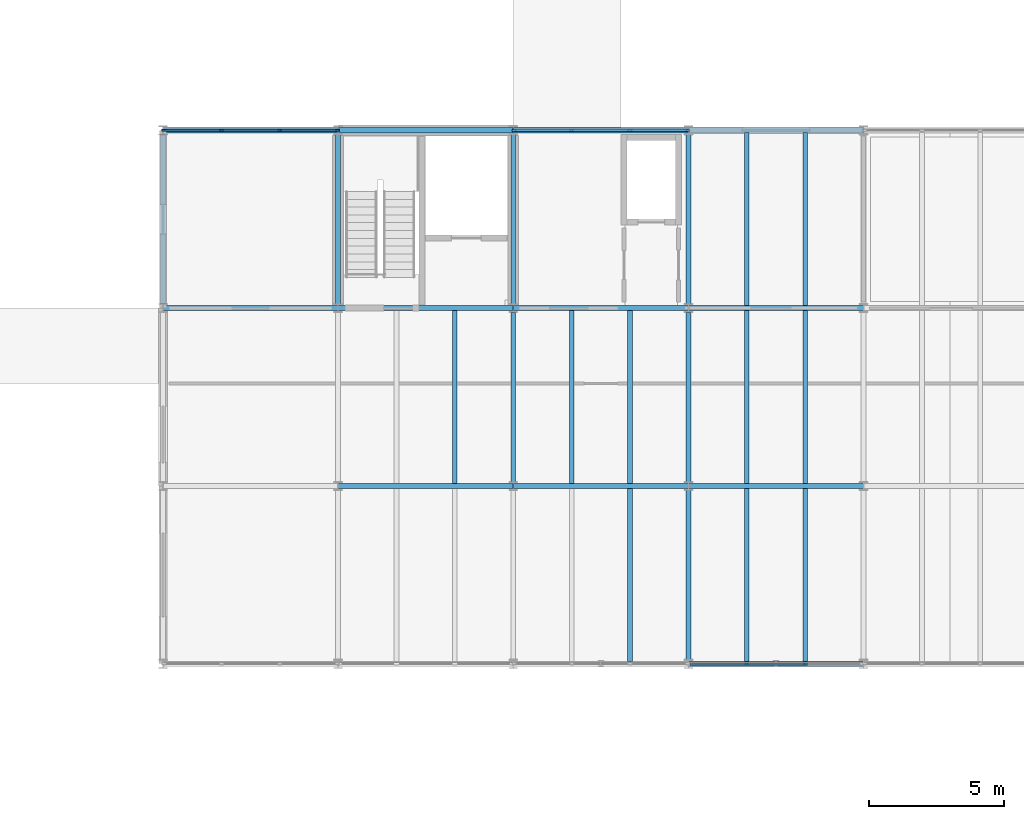
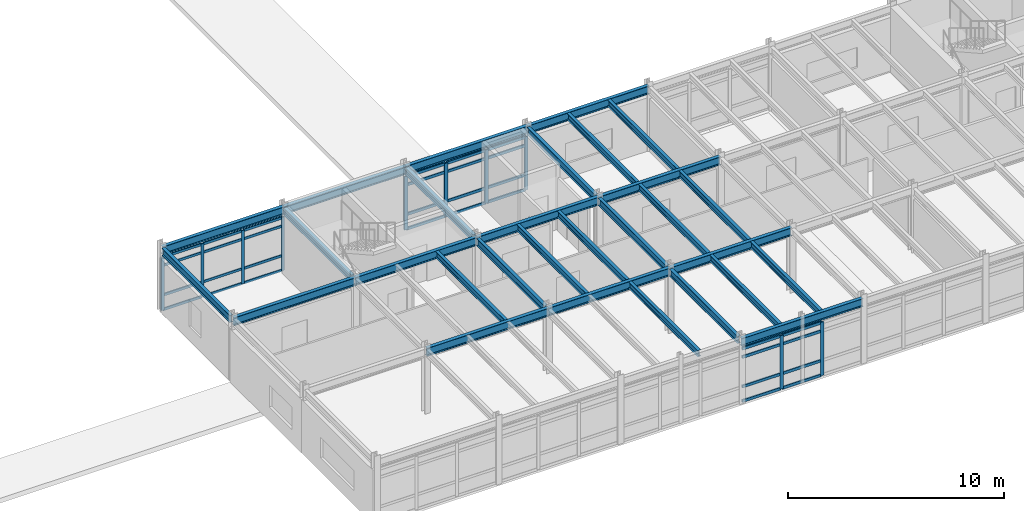
# One storey, part 16 of 49: 42 members, 29 beams, 3 elements without a shape of their own.
"""IFC4 building model written with IfcOpenShell, lengths in metres."""

from ifc_helpers import new_model, si_unit, direction, frame, origin, origin_2d, place, context, subcontext, project, spatial, rectangle, i_section, extrude, material, layer, layer_set, material_profile, profile_set, type_object, element, aggregate, save


model = new_model("IFC4")

# Units and contexts
model_context = context("Model", 3, precision=1e-05, world=origin(), true_north=direction((0.0, 1.0)))
body_context = subcontext(model_context, "Body", "Model", "MODEL_VIEW")
ifc_project = project(units=[si_unit("LENGTHUNIT", "METRE"), si_unit("AREAUNIT", "SQUARE_METRE"), si_unit("VOLUMEUNIT", "CUBIC_METRE"), si_unit("PLANEANGLEUNIT", "RADIAN"), si_unit("MASSUNIT", "GRAM", prefix="KILO")], contexts=[model_context])

# Site, building, storey
site_placement = place(None, origin())
site = spatial("IfcSite", under=ifc_project, at=site_placement, CompositionType="ELEMENT")
building_placement = place(site_placement, origin())
building = spatial("IfcBuilding", under=site, at=building_placement, Name="Trelmorton Wharf Fire Station", CompositionType="ELEMENT")
storey_placement = place(building_placement, frame((0.0, 0.0, 9.60009765625)))
storey = spatial("IfcBuildingStorey", under=building, at=storey_placement, Name="L02", CompositionType="ELEMENT", Elevation=9.60009765625)

# Beams
ifc_material_1 = material(Name="Steel Grade 350", Category="steel")
ifc_material_profile_1 = material_profile(ifc_material_1, i_section(OverallWidth=0.177978515625, OverallDepth=0.406005859375, WebThickness=0.0078125, FlangeThickness=0.0126953125, FilletRadius=0.011474609375, at=origin_2d()), Name="410UB59.7")
ifc_profile_set_1 = profile_set([ifc_material_profile_1], Name="Steel Grade 350")
beam_type_1 = type_object("IfcBeamType", Name="BM_410UB60", PredefinedType="BEAM", material=ifc_profile_set_1)
for number, where, z_axis, x_axis, name in (
    (1, (104.0, 21.156494140625, 3.427001953125), (0.0, 1.0, 0.0), (-1.0, 0.0, 0.0), "BM-L02-0815"),
    (2, (110.5, 21.156494140625, 3.427001953125), (0.0, 1.0, 0.0), (-1.0, 0.0, 0.0), "BM-L02-0821"),
    (3, (117.0, 14.556396484375, 3.427001953125), (0.0, 1.0, 0.0), (-1.0, 0.0, 0.0), "BM-L02-0826"),
    (4, (117.0, 21.156494140625, 3.427001953125), (0.0, 1.0, 0.0), (-1.0, 0.0, 0.0), "BM-L02-0827"),
):
    element("IfcBeam", number, at=place(storey_placement, frame(where, z_axis=z_axis, x_axis=x_axis)), inside=storey, type_object=beam_type_1, Name=name, PredefinedType="BEAM", context=body_context, shape_type="SweptSolid", body=[
        extrude(i_section(OverallWidth=0.177978515625, OverallDepth=0.406005859375, WebThickness=0.0078125, FlangeThickness=0.0126953125, FilletRadius=0.011474609375, at=origin_2d()), origin(), (0.0, 0.0, 1.0), 6.287109375),
    ])
beam_1_placement = place(storey_placement, frame((123.5, 7.95654296875, 3.427001953125), z_axis=(0.0, 1.0, 0.0), x_axis=(-1.0, 0.0, 0.0)))
element("IfcBeam", 5, at=beam_1_placement, inside=storey, type_object=beam_type_1, Name="BM-L02-0831", PredefinedType="BEAM", context=body_context, shape_type="SweptSolid", body=[
    extrude(i_section(OverallWidth=0.177978515625, OverallDepth=0.406005859375, WebThickness=0.0078125, FlangeThickness=0.0126953125, FilletRadius=0.011474609375, at=origin_2d()), origin(), (0.0, 0.0, 1.0), 6.286865234375),
])
for number, where, z_axis, x_axis, name in (
    (6, (123.5, 14.556396484375, 3.427001953125), (0.0, 1.0, 0.0), (-1.0, 0.0, 0.0), "BM-L02-0832"),
    (7, (123.5, 21.156494140625, 3.427001953125), (0.0, 1.0, 0.0), (-1.0, 0.0, 0.0), "BM-L02-0833"),
):
    element("IfcBeam", number, at=place(storey_placement, frame(where, z_axis=z_axis, x_axis=x_axis)), inside=storey, type_object=beam_type_1, Name=name, PredefinedType="BEAM", context=body_context, shape_type="SweptSolid", body=[
        extrude(i_section(OverallWidth=0.177978515625, OverallDepth=0.406005859375, WebThickness=0.0078125, FlangeThickness=0.0126953125, FilletRadius=0.011474609375, at=origin_2d()), origin(), (0.0, 0.0, 1.0), 6.287109375),
    ])
ifc_material_profile_2 = material_profile(ifc_material_1, i_section(OverallWidth=0.19091796875, OverallDepth=0.4599609375, WebThickness=0.010009765625, FlangeThickness=0.01611328125, FilletRadius=0.011474609375, at=origin_2d()), Name="460UB82.1")
ifc_profile_set_2 = profile_set([ifc_material_profile_2], Name="Steel Grade 350")
beam_type_2 = type_object("IfcBeamType", Name="BM_460UB82", PredefinedType="BEAM", material=ifc_profile_set_2)
for number, where, z_axis, x_axis, name in (
    (8, (110.5048828125, 14.39990234375, 3.39990234375), (1.0, 0.0, 0.0), (0.0, 1.0, 0.0), "BM-L02-0696"),
    (9, (117.0048828125, 14.39990234375, 3.39990234375), (1.0, 0.0, 0.0), (0.0, 1.0, 0.0), "BM-L02-0697"),
    (10, (123.5048828125, 14.39990234375, 3.39990234375), (1.0, 0.0, 0.0), (0.0, 1.0, 0.0), "BM-L02-0698"),
    (11, (104.0048828125, 21.0, 3.39990234375), (1.0, 0.0, 0.0), (0.0, 1.0, 0.0), "BM-L02-0708"),
    (12, (110.5048828125, 21.0, 3.39990234375), (1.0, 0.0, 0.0), (0.0, 1.0, 0.0), "BM-L02-0709"),
    (13, (117.0048828125, 21.0, 3.39990234375), (1.0, 0.0, 0.0), (0.0, 1.0, 0.0), "BM-L02-0710"),
    (14, (123.5048828125, 21.0, 3.39990234375), (1.0, 0.0, 0.0), (0.0, 1.0, 0.0), "BM-L02-0711"),
):
    element("IfcBeam", number, at=place(storey_placement, frame(where, z_axis=z_axis, x_axis=x_axis)), inside=storey, type_object=beam_type_2, Name=name, PredefinedType="BEAM", context=body_context, shape_type="SweptSolid", body=[
        extrude(i_section(OverallWidth=0.19091796875, OverallDepth=0.4599609375, WebThickness=0.010009765625, FlangeThickness=0.01611328125, FilletRadius=0.011474609375, at=origin_2d()), origin(), (0.0, 0.0, 1.0), 6.490234375),
    ])

# Curtain wall, members
ifc_material_2 = material(Name="Anodised aluminium AW-6063", Category="aluminium")
ifc_layer_1 = layer(ifc_material_2, 0.14990234375)
ifc_layer_set_1 = layer_set([ifc_layer_1], Name="Anodised aluminium AW-6063")
curtain_wall_type_1 = type_object("IfcCurtainWallType", Name="CW_UNIT_A", PredefinedType="USERDEFINED", material=ifc_layer_set_1)
curtain_wall_1_placement = place(storey_placement, origin())
curtain_wall_1 = element("IfcCurtainWall", 15, at=curtain_wall_1_placement, inside=storey, type_object=curtain_wall_type_1, Name="CW-V5-L02-057", ObjectType="UNITISED CURTAIN WALL", PredefinedType="USERDEFINED")
ifc_material_profile_3 = material_profile(ifc_material_2, rectangle(XDim=0.06494140625, YDim=0.159912109375, at=origin_2d()), Name="ALU-65x160")
ifc_profile_set_3 = profile_set([ifc_material_profile_3], Name="Anodised aluminium AW-6063")
member_type_1 = type_object("IfcMemberType", Name="CWM_65x160", PredefinedType="MULLION", material=ifc_profile_set_3)
member_1_placement = place(storey_placement, frame((104.034912109375, 27.60009765625, 0.0), z_axis=(0.0, 0.0, 1.0), x_axis=(0.0, 1.0, 0.0)))
member_1 = element("IfcMember", 16, at=member_1_placement, type_object=member_type_1, Name="CW3 mullion 1", PredefinedType="MULLION", context=body_context, shape_type="SweptSolid", body=[
    extrude(rectangle(XDim=0.06494140625, YDim=0.159912109375, at=origin_2d()), origin(), (0.0, 0.0, 1.0), 3.02001953125),
])
member_2_placement = place(storey_placement, frame((106.168212890625, 27.60009765625, 0.0), z_axis=(0.0, 0.0, 1.0), x_axis=(0.0, 1.0, 0.0)))
member_2 = element("IfcMember", 17, at=member_2_placement, type_object=member_type_1, Name="CW3 mullion 2", PredefinedType="MULLION", context=body_context, shape_type="SweptSolid", body=[
    extrude(rectangle(XDim=0.06494140625, YDim=0.159912109375, at=origin_2d()), origin(), (0.0, 0.0, 1.0), 3.02001953125),
])
member_3_placement = place(storey_placement, frame((108.331787109375, 27.60009765625, 0.0), z_axis=(0.0, 0.0, 1.0), x_axis=(0.0, 1.0, 0.0)))
member_3 = element("IfcMember", 18, at=member_3_placement, type_object=member_type_1, Name="CW3 mullion 3", PredefinedType="MULLION", context=body_context, shape_type="SweptSolid", body=[
    extrude(rectangle(XDim=0.06494140625, YDim=0.159912109375, at=origin_2d()), origin(), (0.0, 0.0, 1.0), 3.02001953125),
])
member_4_placement = place(storey_placement, frame((110.465087890625, 27.60009765625, 0.0), z_axis=(0.0, 0.0, 1.0), x_axis=(0.0, 1.0, 0.0)))
member_4 = element("IfcMember", 19, at=member_4_placement, type_object=member_type_1, Name="CW3 mullion 4", PredefinedType="MULLION", context=body_context, shape_type="SweptSolid", body=[
    extrude(rectangle(XDim=0.06494140625, YDim=0.159912109375, at=origin_2d()), origin(), (0.0, 0.0, 1.0), 3.02001953125),
])

ifc_layer_2 = layer(ifc_material_2, 0.175048828125)
ifc_layer_set_2 = layer_set([ifc_layer_2], Name="Anodised aluminium AW-6063")
curtain_wall_type_2 = type_object("IfcCurtainWallType", Name="CW_CHIC_B", PredefinedType="USERDEFINED", material=ifc_layer_set_2)
curtain_wall_2_placement = place(storey_placement, origin())
curtain_wall_2 = element("IfcCurtainWall", 20, at=curtain_wall_2_placement, inside=storey, type_object=curtain_wall_type_2, Name="CW-V5-L02-052", ObjectType="CHICAGO BAY CURTAIN WALL", PredefinedType="USERDEFINED")
ifc_material_profile_4 = material_profile(ifc_material_2, rectangle(XDim=0.074951171875, YDim=0.175048828125, at=origin_2d()), Name="ALU-75x175")
ifc_profile_set_4 = profile_set([ifc_material_profile_4], Name="Anodised aluminium AW-6063")
member_type_2 = type_object("IfcMemberType", Name="CWM_75x175", PredefinedType="MULLION", material=ifc_profile_set_4)
member_5_placement = place(storey_placement, frame((127.831787109375, 7.800048828125, 0.0), z_axis=(0.0, 0.0, 1.0), x_axis=(0.0, -1.0, 0.0)))
member_5 = element("IfcMember", 21, at=member_5_placement, type_object=member_type_2, Name="CW2 mullion 2", PredefinedType="MULLION", context=body_context, shape_type="SweptSolid", body=[
    extrude(rectangle(XDim=0.074951171875, YDim=0.175048828125, at=origin_2d()), origin(), (0.0, 0.0, 1.0), 3.02001953125),
])
member_6_placement = place(storey_placement, frame((125.668212890625, 7.800048828125, 0.0), z_axis=(0.0, 0.0, 1.0), x_axis=(0.0, -1.0, 0.0)))
member_6 = element("IfcMember", 22, at=member_6_placement, type_object=member_type_2, Name="CW2 mullion 3", PredefinedType="MULLION", context=body_context, shape_type="SweptSolid", body=[
    extrude(rectangle(XDim=0.074951171875, YDim=0.175048828125, at=origin_2d()), origin(), (0.0, 0.0, 1.0), 3.02001953125),
])

curtain_wall_3_placement = place(storey_placement, origin())
curtain_wall_3 = element("IfcCurtainWall", 23, at=curtain_wall_3_placement, inside=storey, type_object=curtain_wall_type_1, Name="CW-V5-L02-058", ObjectType="UNITISED CURTAIN WALL", PredefinedType="USERDEFINED")
member_7_placement = place(storey_placement, frame((117.034912109375, 27.60009765625, 0.0), z_axis=(0.0, 0.0, 1.0), x_axis=(0.0, 1.0, 0.0)))
member_7 = element("IfcMember", 24, at=member_7_placement, type_object=member_type_2, Name="CW3 mullion 1", PredefinedType="MULLION", context=body_context, shape_type="SweptSolid", body=[
    extrude(rectangle(XDim=0.074951171875, YDim=0.175048828125, at=origin_2d()), origin(), (0.0, 0.0, 1.0), 3.02001953125),
])
member_8_placement = place(storey_placement, frame((119.168212890625, 27.60009765625, 0.0), z_axis=(0.0, 0.0, 1.0), x_axis=(0.0, 1.0, 0.0)))
member_8 = element("IfcMember", 25, at=member_8_placement, type_object=member_type_2, Name="CW3 mullion 2", PredefinedType="MULLION", context=body_context, shape_type="SweptSolid", body=[
    extrude(rectangle(XDim=0.074951171875, YDim=0.175048828125, at=origin_2d()), origin(), (0.0, 0.0, 1.0), 3.02001953125),
])
member_9_placement = place(storey_placement, frame((121.331787109375, 27.60009765625, 0.0), z_axis=(0.0, 0.0, 1.0), x_axis=(0.0, 1.0, 0.0)))
member_9 = element("IfcMember", 26, at=member_9_placement, type_object=member_type_2, Name="CW3 mullion 3", PredefinedType="MULLION", context=body_context, shape_type="SweptSolid", body=[
    extrude(rectangle(XDim=0.074951171875, YDim=0.175048828125, at=origin_2d()), origin(), (0.0, 0.0, 1.0), 3.02001953125),
])
member_10_placement = place(storey_placement, frame((123.465087890625, 27.60009765625, 0.0), z_axis=(0.0, 0.0, 1.0), x_axis=(0.0, 1.0, 0.0)))
member_10 = element("IfcMember", 27, at=member_10_placement, type_object=member_type_2, Name="CW3 mullion 4", PredefinedType="MULLION", context=body_context, shape_type="SweptSolid", body=[
    extrude(rectangle(XDim=0.074951171875, YDim=0.175048828125, at=origin_2d()), origin(), (0.0, 0.0, 1.0), 3.02001953125),
])

# Member
ifc_material_profile_5 = material_profile(ifc_material_2, rectangle(XDim=0.06494140625, YDim=0.139892578125, at=origin_2d()), Name="ALU-65x140")
ifc_profile_set_5 = profile_set([ifc_material_profile_5], Name="Anodised aluminium AW-6063")
member_type_3 = type_object("IfcMemberType", Name="CWT_65x140", PredefinedType="USERDEFINED", material=ifc_profile_set_5)
member_11_placement = place(storey_placement, frame((104.06494140625, 27.60009765625, 0.02978515625), z_axis=(1.0, 0.0, 0.0), x_axis=(0.0, 1.0, 0.0)))
member_11 = element("IfcMember", 28, at=member_11_placement, type_object=member_type_3, Name="CW3 transom 1.1", ObjectType="TRANSOM", PredefinedType="USERDEFINED", context=body_context, shape_type="SweptSolid", body=[
    extrude(rectangle(XDim=0.06494140625, YDim=0.139892578125, at=origin_2d()), origin(), (0.0, 0.0, 1.0), 2.073486328125),
])

member_12_placement = place(storey_placement, frame((104.06494140625, 27.60009765625, 0.849853515625), z_axis=(1.0, 0.0, 0.0), x_axis=(0.0, 1.0, 0.0)))
member_12 = element("IfcMember", 29, at=member_12_placement, type_object=member_type_3, Name="CW3 transom 1.2", ObjectType="TRANSOM", PredefinedType="USERDEFINED", context=body_context, shape_type="SweptSolid", body=[
    extrude(rectangle(XDim=0.06494140625, YDim=0.139892578125, at=origin_2d()), origin(), (0.0, 0.0, 1.0), 2.073486328125),
])

member_13_placement = place(storey_placement, frame((104.06494140625, 27.60009765625, 2.52001953125), z_axis=(1.0, 0.0, 0.0), x_axis=(0.0, 1.0, 0.0)))
member_13 = element("IfcMember", 30, at=member_13_placement, type_object=member_type_3, Name="CW3 transom 1.3", ObjectType="TRANSOM", PredefinedType="USERDEFINED", context=body_context, shape_type="SweptSolid", body=[
    extrude(rectangle(XDim=0.06494140625, YDim=0.139892578125, at=origin_2d()), origin(), (0.0, 0.0, 1.0), 2.073486328125),
])

member_14_placement = place(storey_placement, frame((104.06494140625, 27.60009765625, 2.989990234375), z_axis=(1.0, 0.0, 0.0), x_axis=(0.0, 1.0, 0.0)))
member_14 = element("IfcMember", 31, at=member_14_placement, type_object=member_type_3, Name="CW3 transom 1.4", ObjectType="TRANSOM", PredefinedType="USERDEFINED", context=body_context, shape_type="SweptSolid", body=[
    extrude(rectangle(XDim=0.06494140625, YDim=0.139892578125, at=origin_2d()), origin(), (0.0, 0.0, 1.0), 2.073486328125),
])

member_15_placement = place(storey_placement, frame((106.1982421875, 27.60009765625, 0.02978515625), z_axis=(1.0, 0.0, 0.0), x_axis=(0.0, 1.0, 0.0)))
member_15 = element("IfcMember", 32, at=member_15_placement, type_object=member_type_3, Name="CW3 transom 2.1", ObjectType="TRANSOM", PredefinedType="USERDEFINED", context=body_context, shape_type="SweptSolid", body=[
    extrude(rectangle(XDim=0.06494140625, YDim=0.139892578125, at=origin_2d()), origin(), (0.0, 0.0, 1.0), 2.103515625),
])

member_16_placement = place(storey_placement, frame((106.1982421875, 27.60009765625, 0.849853515625), z_axis=(1.0, 0.0, 0.0), x_axis=(0.0, 1.0, 0.0)))
member_16 = element("IfcMember", 33, at=member_16_placement, type_object=member_type_3, Name="CW3 transom 2.2", ObjectType="TRANSOM", PredefinedType="USERDEFINED", context=body_context, shape_type="SweptSolid", body=[
    extrude(rectangle(XDim=0.06494140625, YDim=0.139892578125, at=origin_2d()), origin(), (0.0, 0.0, 1.0), 2.103515625),
])

member_17_placement = place(storey_placement, frame((106.1982421875, 27.60009765625, 2.52001953125), z_axis=(1.0, 0.0, 0.0), x_axis=(0.0, 1.0, 0.0)))
member_17 = element("IfcMember", 34, at=member_17_placement, type_object=member_type_3, Name="CW3 transom 2.3", ObjectType="TRANSOM", PredefinedType="USERDEFINED", context=body_context, shape_type="SweptSolid", body=[
    extrude(rectangle(XDim=0.06494140625, YDim=0.139892578125, at=origin_2d()), origin(), (0.0, 0.0, 1.0), 2.103515625),
])

member_18_placement = place(storey_placement, frame((106.1982421875, 27.60009765625, 2.989990234375), z_axis=(1.0, 0.0, 0.0), x_axis=(0.0, 1.0, 0.0)))
member_18 = element("IfcMember", 35, at=member_18_placement, type_object=member_type_3, Name="CW3 transom 2.4", ObjectType="TRANSOM", PredefinedType="USERDEFINED", context=body_context, shape_type="SweptSolid", body=[
    extrude(rectangle(XDim=0.06494140625, YDim=0.139892578125, at=origin_2d()), origin(), (0.0, 0.0, 1.0), 2.103515625),
])

member_19_placement = place(storey_placement, frame((108.361572265625, 27.60009765625, 0.02978515625), z_axis=(1.0, 0.0, 0.0), x_axis=(0.0, 1.0, 0.0)))
member_19 = element("IfcMember", 36, at=member_19_placement, type_object=member_type_3, Name="CW3 transom 3.1", ObjectType="TRANSOM", PredefinedType="USERDEFINED", context=body_context, shape_type="SweptSolid", body=[
    extrude(rectangle(XDim=0.06494140625, YDim=0.139892578125, at=origin_2d()), origin(), (0.0, 0.0, 1.0), 2.073486328125),
])

member_20_placement = place(storey_placement, frame((108.361572265625, 27.60009765625, 0.849853515625), z_axis=(1.0, 0.0, 0.0), x_axis=(0.0, 1.0, 0.0)))
member_20 = element("IfcMember", 37, at=member_20_placement, type_object=member_type_3, Name="CW3 transom 3.2", ObjectType="TRANSOM", PredefinedType="USERDEFINED", context=body_context, shape_type="SweptSolid", body=[
    extrude(rectangle(XDim=0.06494140625, YDim=0.139892578125, at=origin_2d()), origin(), (0.0, 0.0, 1.0), 2.073486328125),
])

member_21_placement = place(storey_placement, frame((108.361572265625, 27.60009765625, 2.52001953125), z_axis=(1.0, 0.0, 0.0), x_axis=(0.0, 1.0, 0.0)))
member_21 = element("IfcMember", 38, at=member_21_placement, type_object=member_type_3, Name="CW3 transom 3.3", ObjectType="TRANSOM", PredefinedType="USERDEFINED", context=body_context, shape_type="SweptSolid", body=[
    extrude(rectangle(XDim=0.06494140625, YDim=0.139892578125, at=origin_2d()), origin(), (0.0, 0.0, 1.0), 2.073486328125),
])

member_22_placement = place(storey_placement, frame((108.361572265625, 27.60009765625, 2.989990234375), z_axis=(1.0, 0.0, 0.0), x_axis=(0.0, 1.0, 0.0)))
member_22 = element("IfcMember", 39, at=member_22_placement, type_object=member_type_3, Name="CW3 transom 3.4", ObjectType="TRANSOM", PredefinedType="USERDEFINED", context=body_context, shape_type="SweptSolid", body=[
    extrude(rectangle(XDim=0.06494140625, YDim=0.139892578125, at=origin_2d()), origin(), (0.0, 0.0, 1.0), 2.073486328125),
])

aggregate(curtain_wall_1, [member_1, member_2, member_3, member_4, member_11, member_12, member_13, member_14, member_15, member_16, member_17, member_18, member_19, member_20, member_21, member_22])

ifc_material_profile_6 = material_profile(ifc_material_2, rectangle(XDim=0.074951171875, YDim=0.155029296875, at=origin_2d()), Name="ALU-75x155")
ifc_profile_set_6 = profile_set([ifc_material_profile_6], Name="Anodised aluminium AW-6063")
member_type_4 = type_object("IfcMemberType", Name="CWT_75x155", PredefinedType="USERDEFINED", material=ifc_profile_set_6)
member_23_placement = place(storey_placement, frame((127.8017578125, 7.800048828125, 0.02978515625), z_axis=(-1.0, 0.0, 0.0), x_axis=(0.0, -1.0, 0.0)))
member_23 = element("IfcMember", 40, at=member_23_placement, type_object=member_type_4, Name="CW2 transom 2.1", ObjectType="TRANSOM", PredefinedType="USERDEFINED", context=body_context, shape_type="SweptSolid", body=[
    extrude(rectangle(XDim=0.074951171875, YDim=0.155029296875, at=origin_2d()), origin(), (0.0, 0.0, 1.0), 2.103515625),
])

member_24_placement = place(storey_placement, frame((127.8017578125, 7.800048828125, 0.849853515625), z_axis=(-1.0, 0.0, 0.0), x_axis=(0.0, -1.0, 0.0)))
member_24 = element("IfcMember", 41, at=member_24_placement, type_object=member_type_4, Name="CW2 transom 2.2", ObjectType="TRANSOM", PredefinedType="USERDEFINED", context=body_context, shape_type="SweptSolid", body=[
    extrude(rectangle(XDim=0.074951171875, YDim=0.155029296875, at=origin_2d()), origin(), (0.0, 0.0, 1.0), 2.103515625),
])

member_25_placement = place(storey_placement, frame((127.8017578125, 7.800048828125, 2.52001953125), z_axis=(-1.0, 0.0, 0.0), x_axis=(0.0, -1.0, 0.0)))
member_25 = element("IfcMember", 42, at=member_25_placement, type_object=member_type_4, Name="CW2 transom 2.3", ObjectType="TRANSOM", PredefinedType="USERDEFINED", context=body_context, shape_type="SweptSolid", body=[
    extrude(rectangle(XDim=0.074951171875, YDim=0.155029296875, at=origin_2d()), origin(), (0.0, 0.0, 1.0), 2.103515625),
])

member_26_placement = place(storey_placement, frame((127.8017578125, 7.800048828125, 2.989990234375), z_axis=(-1.0, 0.0, 0.0), x_axis=(0.0, -1.0, 0.0)))
member_26 = element("IfcMember", 43, at=member_26_placement, type_object=member_type_4, Name="CW2 transom 2.4", ObjectType="TRANSOM", PredefinedType="USERDEFINED", context=body_context, shape_type="SweptSolid", body=[
    extrude(rectangle(XDim=0.074951171875, YDim=0.155029296875, at=origin_2d()), origin(), (0.0, 0.0, 1.0), 2.103515625),
])

member_27_placement = place(storey_placement, frame((125.638427734375, 7.800048828125, 0.02978515625), z_axis=(-1.0, 0.0, 0.0), x_axis=(0.0, -1.0, 0.0)))
member_27 = element("IfcMember", 44, at=member_27_placement, type_object=member_type_4, Name="CW2 transom 3.1", ObjectType="TRANSOM", PredefinedType="USERDEFINED", context=body_context, shape_type="SweptSolid", body=[
    extrude(rectangle(XDim=0.074951171875, YDim=0.155029296875, at=origin_2d()), origin(), (0.0, 0.0, 1.0), 2.073486328125),
])

member_28_placement = place(storey_placement, frame((125.638427734375, 7.800048828125, 0.849853515625), z_axis=(-1.0, 0.0, 0.0), x_axis=(0.0, -1.0, 0.0)))
member_28 = element("IfcMember", 45, at=member_28_placement, type_object=member_type_4, Name="CW2 transom 3.2", ObjectType="TRANSOM", PredefinedType="USERDEFINED", context=body_context, shape_type="SweptSolid", body=[
    extrude(rectangle(XDim=0.074951171875, YDim=0.155029296875, at=origin_2d()), origin(), (0.0, 0.0, 1.0), 2.073486328125),
])

member_29_placement = place(storey_placement, frame((125.638427734375, 7.800048828125, 2.52001953125), z_axis=(-1.0, 0.0, 0.0), x_axis=(0.0, -1.0, 0.0)))
member_29 = element("IfcMember", 46, at=member_29_placement, type_object=member_type_4, Name="CW2 transom 3.3", ObjectType="TRANSOM", PredefinedType="USERDEFINED", context=body_context, shape_type="SweptSolid", body=[
    extrude(rectangle(XDim=0.074951171875, YDim=0.155029296875, at=origin_2d()), origin(), (0.0, 0.0, 1.0), 2.073486328125),
])

member_30_placement = place(storey_placement, frame((125.638427734375, 7.800048828125, 2.989990234375), z_axis=(-1.0, 0.0, 0.0), x_axis=(0.0, -1.0, 0.0)))
member_30 = element("IfcMember", 47, at=member_30_placement, type_object=member_type_4, Name="CW2 transom 3.4", ObjectType="TRANSOM", PredefinedType="USERDEFINED", context=body_context, shape_type="SweptSolid", body=[
    extrude(rectangle(XDim=0.074951171875, YDim=0.155029296875, at=origin_2d()), origin(), (0.0, 0.0, 1.0), 2.073486328125),
])

aggregate(curtain_wall_2, [member_5, member_6, member_23, member_24, member_25, member_26, member_27, member_28, member_29, member_30])

member_31_placement = place(storey_placement, frame((117.06494140625, 27.60009765625, 0.02978515625), z_axis=(1.0, 0.0, 0.0), x_axis=(0.0, 1.0, 0.0)))
member_31 = element("IfcMember", 48, at=member_31_placement, type_object=member_type_4, Name="CW3 transom 1.1", ObjectType="TRANSOM", PredefinedType="USERDEFINED", context=body_context, shape_type="SweptSolid", body=[
    extrude(rectangle(XDim=0.074951171875, YDim=0.155029296875, at=origin_2d()), origin(), (0.0, 0.0, 1.0), 2.073486328125),
])

member_32_placement = place(storey_placement, frame((117.06494140625, 27.60009765625, 0.849853515625), z_axis=(1.0, 0.0, 0.0), x_axis=(0.0, 1.0, 0.0)))
member_32 = element("IfcMember", 49, at=member_32_placement, type_object=member_type_4, Name="CW3 transom 1.2", ObjectType="TRANSOM", PredefinedType="USERDEFINED", context=body_context, shape_type="SweptSolid", body=[
    extrude(rectangle(XDim=0.074951171875, YDim=0.155029296875, at=origin_2d()), origin(), (0.0, 0.0, 1.0), 2.073486328125),
])

member_33_placement = place(storey_placement, frame((117.06494140625, 27.60009765625, 2.52001953125), z_axis=(1.0, 0.0, 0.0), x_axis=(0.0, 1.0, 0.0)))
member_33 = element("IfcMember", 50, at=member_33_placement, type_object=member_type_4, Name="CW3 transom 1.3", ObjectType="TRANSOM", PredefinedType="USERDEFINED", context=body_context, shape_type="SweptSolid", body=[
    extrude(rectangle(XDim=0.074951171875, YDim=0.155029296875, at=origin_2d()), origin(), (0.0, 0.0, 1.0), 2.073486328125),
])

member_34_placement = place(storey_placement, frame((117.06494140625, 27.60009765625, 2.989990234375), z_axis=(1.0, 0.0, 0.0), x_axis=(0.0, 1.0, 0.0)))
member_34 = element("IfcMember", 51, at=member_34_placement, type_object=member_type_4, Name="CW3 transom 1.4", ObjectType="TRANSOM", PredefinedType="USERDEFINED", context=body_context, shape_type="SweptSolid", body=[
    extrude(rectangle(XDim=0.074951171875, YDim=0.155029296875, at=origin_2d()), origin(), (0.0, 0.0, 1.0), 2.073486328125),
])

member_35_placement = place(storey_placement, frame((119.1982421875, 27.60009765625, 0.02978515625), z_axis=(1.0, 0.0, 0.0), x_axis=(0.0, 1.0, 0.0)))
member_35 = element("IfcMember", 52, at=member_35_placement, type_object=member_type_4, Name="CW3 transom 2.1", ObjectType="TRANSOM", PredefinedType="USERDEFINED", context=body_context, shape_type="SweptSolid", body=[
    extrude(rectangle(XDim=0.074951171875, YDim=0.155029296875, at=origin_2d()), origin(), (0.0, 0.0, 1.0), 2.103515625),
])

member_36_placement = place(storey_placement, frame((119.1982421875, 27.60009765625, 0.849853515625), z_axis=(1.0, 0.0, 0.0), x_axis=(0.0, 1.0, 0.0)))
member_36 = element("IfcMember", 53, at=member_36_placement, type_object=member_type_4, Name="CW3 transom 2.2", ObjectType="TRANSOM", PredefinedType="USERDEFINED", context=body_context, shape_type="SweptSolid", body=[
    extrude(rectangle(XDim=0.074951171875, YDim=0.155029296875, at=origin_2d()), origin(), (0.0, 0.0, 1.0), 2.103515625),
])

member_37_placement = place(storey_placement, frame((119.1982421875, 27.60009765625, 2.52001953125), z_axis=(1.0, 0.0, 0.0), x_axis=(0.0, 1.0, 0.0)))
member_37 = element("IfcMember", 54, at=member_37_placement, type_object=member_type_4, Name="CW3 transom 2.3", ObjectType="TRANSOM", PredefinedType="USERDEFINED", context=body_context, shape_type="SweptSolid", body=[
    extrude(rectangle(XDim=0.074951171875, YDim=0.155029296875, at=origin_2d()), origin(), (0.0, 0.0, 1.0), 2.103515625),
])

member_38_placement = place(storey_placement, frame((119.1982421875, 27.60009765625, 2.989990234375), z_axis=(1.0, 0.0, 0.0), x_axis=(0.0, 1.0, 0.0)))
member_38 = element("IfcMember", 55, at=member_38_placement, type_object=member_type_4, Name="CW3 transom 2.4", ObjectType="TRANSOM", PredefinedType="USERDEFINED", context=body_context, shape_type="SweptSolid", body=[
    extrude(rectangle(XDim=0.074951171875, YDim=0.155029296875, at=origin_2d()), origin(), (0.0, 0.0, 1.0), 2.103515625),
])

member_39_placement = place(storey_placement, frame((121.361572265625, 27.60009765625, 0.02978515625), z_axis=(1.0, 0.0, 0.0), x_axis=(0.0, 1.0, 0.0)))
member_39 = element("IfcMember", 56, at=member_39_placement, type_object=member_type_4, Name="CW3 transom 3.1", ObjectType="TRANSOM", PredefinedType="USERDEFINED", context=body_context, shape_type="SweptSolid", body=[
    extrude(rectangle(XDim=0.074951171875, YDim=0.155029296875, at=origin_2d()), origin(), (0.0, 0.0, 1.0), 2.073486328125),
])

member_40_placement = place(storey_placement, frame((121.361572265625, 27.60009765625, 0.849853515625), z_axis=(1.0, 0.0, 0.0), x_axis=(0.0, 1.0, 0.0)))
member_40 = element("IfcMember", 57, at=member_40_placement, type_object=member_type_4, Name="CW3 transom 3.2", ObjectType="TRANSOM", PredefinedType="USERDEFINED", context=body_context, shape_type="SweptSolid", body=[
    extrude(rectangle(XDim=0.074951171875, YDim=0.155029296875, at=origin_2d()), origin(), (0.0, 0.0, 1.0), 2.073486328125),
])

member_41_placement = place(storey_placement, frame((121.361572265625, 27.60009765625, 2.52001953125), z_axis=(1.0, 0.0, 0.0), x_axis=(0.0, 1.0, 0.0)))
member_41 = element("IfcMember", 58, at=member_41_placement, type_object=member_type_4, Name="CW3 transom 3.3", ObjectType="TRANSOM", PredefinedType="USERDEFINED", context=body_context, shape_type="SweptSolid", body=[
    extrude(rectangle(XDim=0.074951171875, YDim=0.155029296875, at=origin_2d()), origin(), (0.0, 0.0, 1.0), 2.073486328125),
])

member_42_placement = place(storey_placement, frame((121.361572265625, 27.60009765625, 2.989990234375), z_axis=(1.0, 0.0, 0.0), x_axis=(0.0, 1.0, 0.0)))
member_42 = element("IfcMember", 59, at=member_42_placement, type_object=member_type_4, Name="CW3 transom 3.4", ObjectType="TRANSOM", PredefinedType="USERDEFINED", context=body_context, shape_type="SweptSolid", body=[
    extrude(rectangle(XDim=0.074951171875, YDim=0.155029296875, at=origin_2d()), origin(), (0.0, 0.0, 1.0), 2.073486328125),
])

aggregate(curtain_wall_3, [member_7, member_8, member_9, member_10, member_31, member_32, member_33, member_34, member_35, member_36, member_37, member_38, member_39, member_40, member_41, member_42])

# Beams
ifc_material_profile_7 = material_profile(ifc_material_1, i_section(OverallWidth=0.172119140625, OverallDepth=0.35888671875, WebThickness=0.008056640625, FlangeThickness=0.012939453125, FilletRadius=0.011474609375, at=origin_2d()), Name="360UB56.7")
ifc_profile_set_7 = profile_set([ifc_material_profile_7], Name="Steel Grade 350")
beam_type_3 = type_object("IfcBeamType", Name="JS_360UB57", PredefinedType="JOIST", material=ifc_profile_set_7)
beam_2_placement = place(storey_placement, frame((114.833251953125, 14.489990234375, 3.450439453125), z_axis=(0.0, 1.0, 0.0), x_axis=(-1.0, 0.0, 0.0)))
element("IfcBeam", 60, at=beam_2_placement, inside=storey, type_object=beam_type_3, Name="JS-L02-0252", PredefinedType="JOIST", context=body_context, shape_type="SweptSolid", body=[
    extrude(i_section(OverallWidth=0.172119140625, OverallDepth=0.35888671875, WebThickness=0.008056640625, FlangeThickness=0.012939453125, FilletRadius=0.011474609375, at=origin_2d()), origin(), (0.0, 0.0, 1.0), 6.419921875),
])
beam_3_placement = place(storey_placement, frame((121.333251953125, 7.889892578125, 3.450439453125), z_axis=(0.0, 1.0, 0.0), x_axis=(-1.0, 0.0, 0.0)))
element("IfcBeam", 61, at=beam_3_placement, inside=storey, type_object=beam_type_3, Name="JS-L02-0258", PredefinedType="JOIST", context=body_context, shape_type="SweptSolid", body=[
    extrude(i_section(OverallWidth=0.172119140625, OverallDepth=0.35888671875, WebThickness=0.008056640625, FlangeThickness=0.012939453125, FilletRadius=0.011474609375, at=origin_2d()), origin(), (0.0, 0.0, 1.0), 6.420166015625),
])
for number, where, z_axis, x_axis, name in (
    (62, (119.166748046875, 14.489990234375, 3.450439453125), (0.0, 1.0, 0.0), (-1.0, 0.0, 0.0), "JS-L02-0259"),
    (63, (121.333251953125, 14.489990234375, 3.450439453125), (0.0, 1.0, 0.0), (-1.0, 0.0, 0.0), "JS-L02-0260"),
):
    element("IfcBeam", number, at=place(storey_placement, frame(where, z_axis=z_axis, x_axis=x_axis)), inside=storey, type_object=beam_type_3, Name=name, PredefinedType="JOIST", context=body_context, shape_type="SweptSolid", body=[
        extrude(i_section(OverallWidth=0.172119140625, OverallDepth=0.35888671875, WebThickness=0.008056640625, FlangeThickness=0.012939453125, FilletRadius=0.011474609375, at=origin_2d()), origin(), (0.0, 0.0, 1.0), 6.419921875),
    ])
for number, where, z_axis, x_axis, name in (
    (64, (125.666748046875, 7.889892578125, 3.450439453125), (0.0, 1.0, 0.0), (-1.0, 0.0, 0.0), "JS-L02-0267"),
    (65, (127.833251953125, 7.889892578125, 3.450439453125), (0.0, 1.0, 0.0), (-1.0, 0.0, 0.0), "JS-L02-0268"),
):
    element("IfcBeam", number, at=place(storey_placement, frame(where, z_axis=z_axis, x_axis=x_axis)), inside=storey, type_object=beam_type_3, Name=name, PredefinedType="JOIST", context=body_context, shape_type="SweptSolid", body=[
        extrude(i_section(OverallWidth=0.172119140625, OverallDepth=0.35888671875, WebThickness=0.008056640625, FlangeThickness=0.012939453125, FilletRadius=0.011474609375, at=origin_2d()), origin(), (0.0, 0.0, 1.0), 6.420166015625),
    ])
for number, where, z_axis, x_axis, name in (
    (66, (125.666748046875, 14.489990234375, 3.450439453125), (0.0, 1.0, 0.0), (-1.0, 0.0, 0.0), "JS-L02-0269"),
    (67, (127.833251953125, 14.489990234375, 3.450439453125), (0.0, 1.0, 0.0), (-1.0, 0.0, 0.0), "JS-L02-0270"),
    (68, (125.666748046875, 21.090087890625, 3.450439453125), (0.0, 1.0, 0.0), (-1.0, 0.0, 0.0), "JS-L02-0271"),
    (69, (127.833251953125, 21.090087890625, 3.450439453125), (0.0, 1.0, 0.0), (-1.0, 0.0, 0.0), "JS-L02-0272"),
):
    element("IfcBeam", number, at=place(storey_placement, frame(where, z_axis=z_axis, x_axis=x_axis)), inside=storey, type_object=beam_type_3, Name=name, PredefinedType="JOIST", context=body_context, shape_type="SweptSolid", body=[
        extrude(i_section(OverallWidth=0.172119140625, OverallDepth=0.35888671875, WebThickness=0.008056640625, FlangeThickness=0.012939453125, FilletRadius=0.011474609375, at=origin_2d()), origin(), (0.0, 0.0, 1.0), 6.419921875),
    ])
ifc_material_profile_8 = material_profile(ifc_material_1, i_section(OverallWidth=0.18994140625, OverallDepth=0.45703125, WebThickness=0.009033203125, FlangeThickness=0.014404296875, FilletRadius=0.011474609375, at=origin_2d()), Name="460UB74.6")
ifc_profile_set_8 = profile_set([ifc_material_profile_8], Name="Steel Grade 350")
beam_type_4 = type_object("IfcBeamType", Name="SP_460UB75", PredefinedType="SPANDREL", material=ifc_profile_set_8)
for number, where, z_axis, x_axis, name in (
    (70, (123.5048828125, 7.800048828125, 3.4013671875), (1.0, 0.0, 0.0), (0.0, 1.0, 0.0), "BM-L02-0689"),
    (71, (104.0048828125, 27.60009765625, 3.4013671875), (1.0, 0.0, 0.0), (0.0, 1.0, 0.0), "BM-L02-0721"),
    (72, (110.5048828125, 27.60009765625, 3.4013671875), (1.0, 0.0, 0.0), (0.0, 1.0, 0.0), "BM-L02-0722"),
    (73, (117.0048828125, 27.60009765625, 3.4013671875), (1.0, 0.0, 0.0), (0.0, 1.0, 0.0), "BM-L02-0723"),
    (74, (123.5048828125, 27.60009765625, 3.4013671875), (1.0, 0.0, 0.0), (0.0, 1.0, 0.0), "BM-L02-0724"),
):
    element("IfcBeam", number, at=place(storey_placement, frame(where, z_axis=z_axis, x_axis=x_axis)), inside=storey, type_object=beam_type_4, Name=name, PredefinedType="SPANDREL", context=body_context, shape_type="SweptSolid", body=[
        extrude(i_section(OverallWidth=0.18994140625, OverallDepth=0.45703125, WebThickness=0.009033203125, FlangeThickness=0.014404296875, FilletRadius=0.011474609375, at=origin_2d()), origin(), (0.0, 0.0, 1.0), 6.490234375),
    ])

save(model, "model.ifc")
